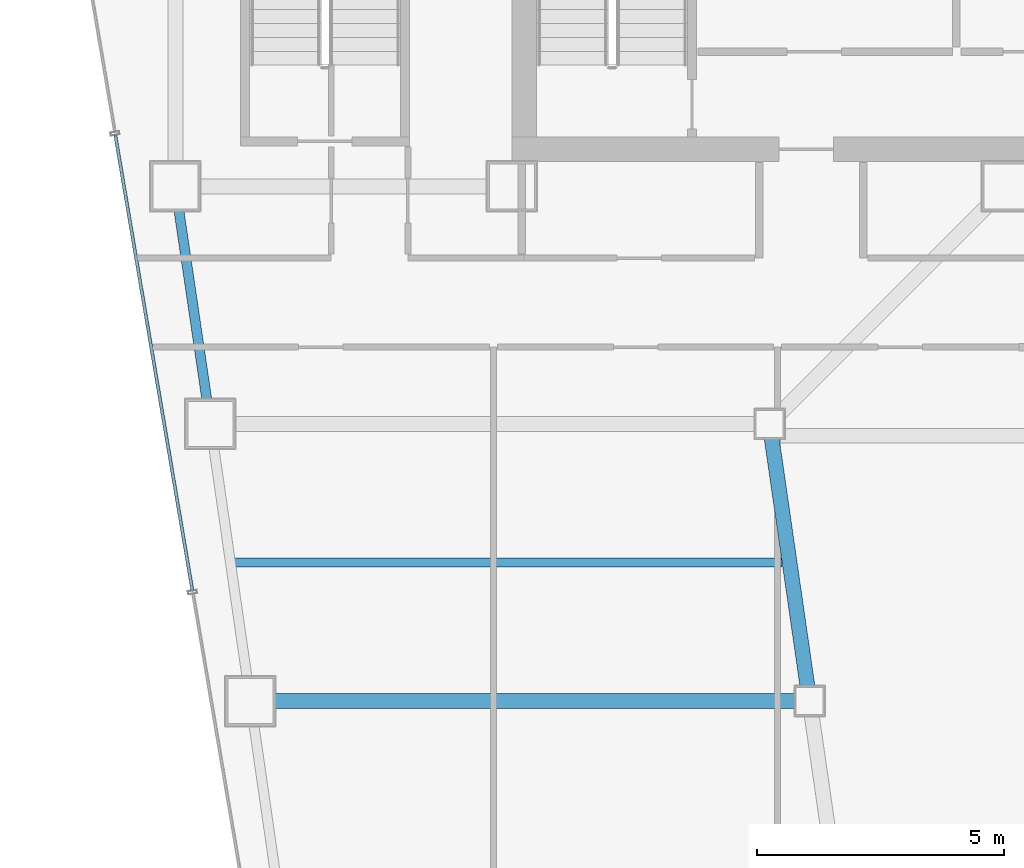
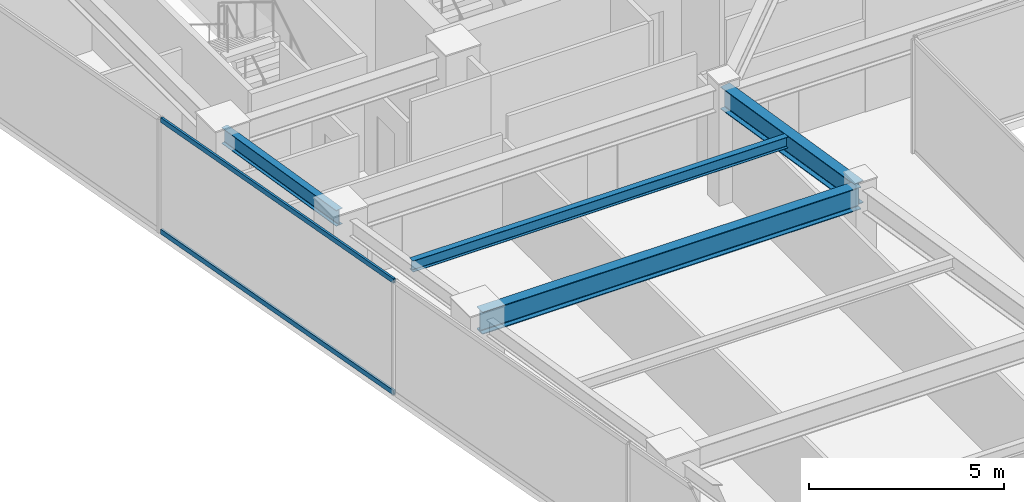
# One storey, part 9 of 35: 4 beams, 2 members, 1 element without a shape of its own.
"""IFC4 building model written with IfcOpenShell, lengths in metres."""

from ifc_helpers import new_model, si_unit, direction, frame, origin, origin_2d, place, context, subcontext, project, spatial, hollow_rectangle, i_section, extrude, material, material_profile, profile_set, type_object, element, aggregate, save


model = new_model("IFC4")

# Units and contexts
model_context = context("Model", 3, precision=1e-05, world=origin(), true_north=direction((0.0, 1.0)))
body_context = subcontext(model_context, "Body", "Model", "MODEL_VIEW")
ifc_project = project(units=[si_unit("LENGTHUNIT", "METRE"), si_unit("AREAUNIT", "SQUARE_METRE"), si_unit("VOLUMEUNIT", "CUBIC_METRE"), si_unit("PLANEANGLEUNIT", "RADIAN"), si_unit("MASSUNIT", "GRAM", prefix="KILO")], contexts=[model_context])

# Site, building, storey
site_placement = place(None, origin())
site = spatial("IfcSite", under=ifc_project, at=site_placement, CompositionType="ELEMENT")
building_placement = place(site_placement, origin())
building = spatial("IfcBuilding", under=site, at=building_placement, Name="Saevonmaru Cultural Tower", CompositionType="ELEMENT")
storey_placement = place(building_placement, frame((0.0, 0.0, 179.0)))
storey = spatial("IfcBuildingStorey", under=building, at=storey_placement, Name="L40", CompositionType="ELEMENT", Elevation=179.0)

# Beams
ifc_material_1 = material(Name="Steel SM355", Category="steel")
ifc_material_profile_1 = material_profile(ifc_material_1, i_section(OverallWidth=0.300048828125, OverallDepth=0.699951171875, WebThickness=0.012939453125, FlangeThickness=0.02392578125, FilletRadius=0.02587890625, at=origin_2d()), Name="H-700x300x13x24")
ifc_profile_set_1 = profile_set([ifc_material_profile_1], Name="Steel SM355")
beam_type_1 = type_object("IfcBeamType", Name="BM-G-H700", PredefinedType="BEAM", material=ifc_profile_set_1)
beam_1_placement = place(storey_placement, frame((19.6083984375, 32.059326171875, 3.199951171875), z_axis=(-0.142964121327, 0.989727871697, 0.0), x_axis=(-0.989727871697, -0.142964121327, 0.0)))
element("IfcBeam", 1, at=beam_1_placement, inside=storey, type_object=beam_type_1, Name="L40 West Atrium Girder 3", PredefinedType="BEAM", context=body_context, shape_type="SweptSolid", body=[
    extrude(i_section(OverallWidth=0.300048828125, OverallDepth=0.699951171875, WebThickness=0.012939453125, FlangeThickness=0.02392578125, FilletRadius=0.02587890625, at=origin_2d()), origin(), (0.0, 0.0, 1.0), 5.5380859375),
])
beam_2_placement = place(storey_placement, frame((8.376953125, 32.0, 3.199951171875), z_axis=(1.0, 0.0, 0.0), x_axis=(0.0, 1.0, 0.0)))
element("IfcBeam", 2, at=beam_2_placement, inside=storey, type_object=beam_type_1, Name="L40 West Wing Transverse Girder 3", PredefinedType="BEAM", context=body_context, shape_type="SweptSolid", body=[
    extrude(i_section(OverallWidth=0.300048828125, OverallDepth=0.699951171875, WebThickness=0.012939453125, FlangeThickness=0.02392578125, FilletRadius=0.02587890625, at=origin_2d()), origin(), (0.0, 0.0, 1.0), 11.179931640625),
])
ifc_material_profile_2 = material_profile(ifc_material_1, i_section(OverallWidth=0.175048828125, OverallDepth=0.35009765625, WebThickness=0.007080078125, FlangeThickness=0.010986328125, FilletRadius=0.012939453125, at=origin_2d()), Name="H-350x175x7x11")
ifc_profile_set_2 = profile_set([ifc_material_profile_2], Name="Steel SM355")
beam_type_2 = type_object("IfcBeamType", Name="BM-J-H350", PredefinedType="JOIST", material=ifc_profile_set_2)
beam_3_placement = place(storey_placement, frame((7.972412109375, 34.800048828125, 3.375), z_axis=(1.0, 0.0, 0.0), x_axis=(0.0, 1.0, 0.0)))
element("IfcBeam", 3, at=beam_3_placement, inside=storey, type_object=beam_type_2, Name="L40 West Wing Floor Joist 3", PredefinedType="JOIST", context=body_context, shape_type="SweptSolid", body=[
    extrude(i_section(OverallWidth=0.175048828125, OverallDepth=0.35009765625, WebThickness=0.007080078125, FlangeThickness=0.010986328125, FilletRadius=0.012939453125, at=origin_2d()), origin(), (0.0, 0.0, 1.0), 11.08203125),
])
ifc_material_profile_3 = material_profile(ifc_material_1, i_section(OverallWidth=0.199951171875, OverallDepth=0.5, WebThickness=0.010009765625, FlangeThickness=0.01611328125, FilletRadius=0.02001953125, at=origin_2d()), Name="H-500x200x10x16")
ifc_profile_set_3 = profile_set([ifc_material_profile_3], Name="Steel SM355")
beam_type_3 = type_object("IfcBeamType", Name="BM-SP-H500", PredefinedType="SPANDREL", material=ifc_profile_set_3)
beam_4_placement = place(storey_placement, frame((7.499267578125, 37.659423828125, 3.300048828125), z_axis=(-0.145912860028, 0.989297446312, 0.0), x_axis=(-0.989297446312, -0.145912860028, 0.0)))
element("IfcBeam", 4, at=beam_4_placement, inside=storey, type_object=beam_type_3, Name="L40 West Splayed Spandrel 4", PredefinedType="SPANDREL", context=body_context, shape_type="SweptSolid", body=[
    extrude(i_section(OverallWidth=0.199951171875, OverallDepth=0.5, WebThickness=0.010009765625, FlangeThickness=0.01611328125, FilletRadius=0.02001953125, at=origin_2d()), origin(), (0.0, 0.0, 1.0), 4.731689453125),
])

# Curtain wall, members
ifc_material_2 = material(Name="Satin Bronze Anodised Aluminium", Category="aluminium")
curtain_wall_type = type_object("IfcCurtainWallType", Name="CW-TYP-B", PredefinedType="NOTDEFINED", material=ifc_material_2)
curtain_wall_placement = place(storey_placement, origin())
curtain_wall = element("IfcCurtainWall", 5, at=curtain_wall_placement, inside=storey, type_object=curtain_wall_type, Name="L40 Unitised Curtain Wall E12", PredefinedType="NOTDEFINED")
ifc_material_profile_4 = material_profile(ifc_material_2, hollow_rectangle(XDim=0.06494140625, YDim=0.14990234375, WallThickness=0.00390625, at=origin_2d()), Name="ALU-TRAN-150x65x4")
ifc_profile_set_4 = profile_set([ifc_material_profile_4], Name="Satin Bronze Anodised Aluminium")
member_type = type_object("IfcMemberType", Name="TR-CW-150x65", PredefinedType="USERDEFINED", material=ifc_profile_set_4)
member_1_placement = place(storey_placement, frame((5.5849609375, 43.4384765625, 0.032470703125), z_axis=(0.166916960754, -0.985970957084, 0.0), x_axis=(0.985970957084, 0.166916960754, 0.0)))
member_1 = element("IfcMember", 6, at=member_1_placement, type_object=member_type, Name="CW-TW-L40-E12 transom 2.1", ObjectType="TRANSOM", PredefinedType="USERDEFINED", context=body_context, shape_type="SweptSolid", body=[
    extrude(hollow_rectangle(XDim=0.06494140625, YDim=0.14990234375, WallThickness=0.00390625, at=origin_2d()), origin(), (0.0, 0.0, 1.0), 9.337646484375),
])
member_2_placement = place(storey_placement, frame((5.5849609375, 43.4384765625, 3.517578125), z_axis=(0.166916960754, -0.985970957084, 0.0), x_axis=(0.985970957084, 0.166916960754, 0.0)))
member_2 = element("IfcMember", 7, at=member_2_placement, type_object=member_type, Name="CW-TW-L40-E12 transom 2.2", ObjectType="TRANSOM", PredefinedType="USERDEFINED", context=body_context, shape_type="SweptSolid", body=[
    extrude(hollow_rectangle(XDim=0.06494140625, YDim=0.14990234375, WallThickness=0.00390625, at=origin_2d()), origin(), (0.0, 0.0, 1.0), 9.337646484375),
])
aggregate(curtain_wall, [member_1, member_2])

save(model, "model.ifc")
